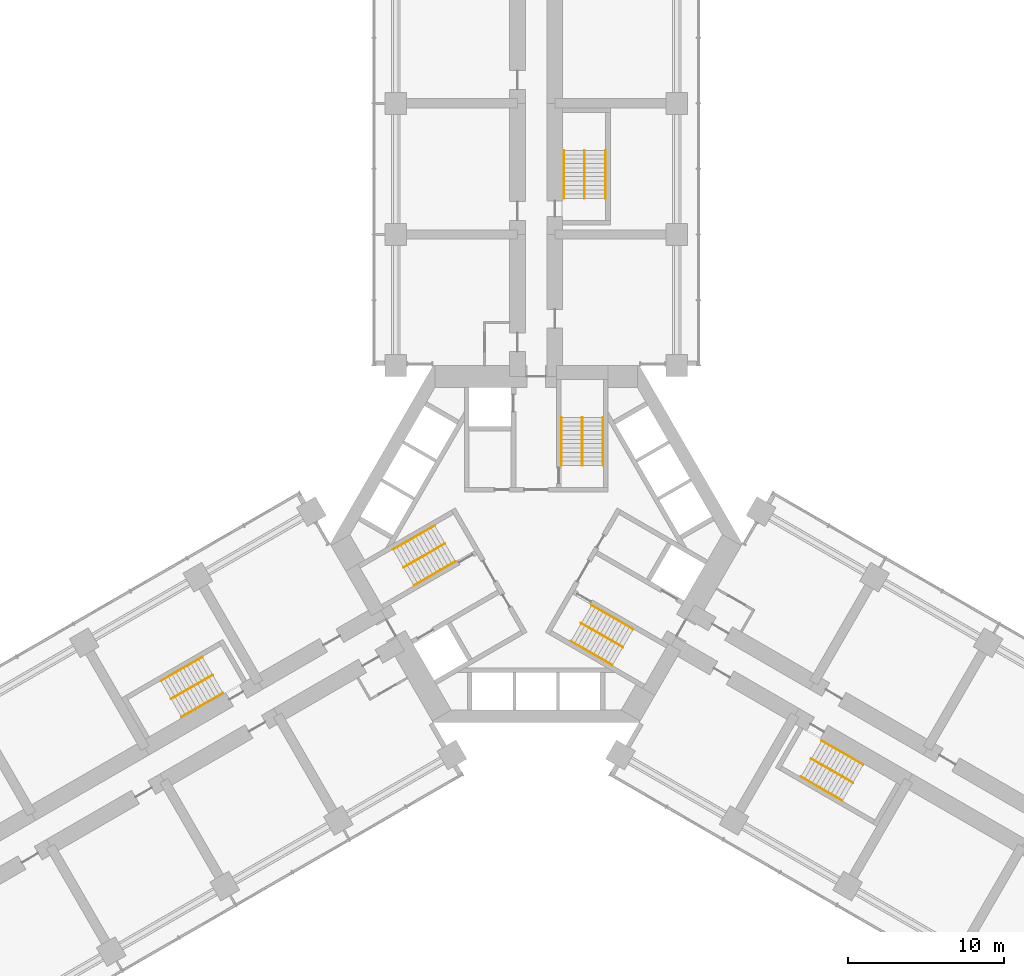
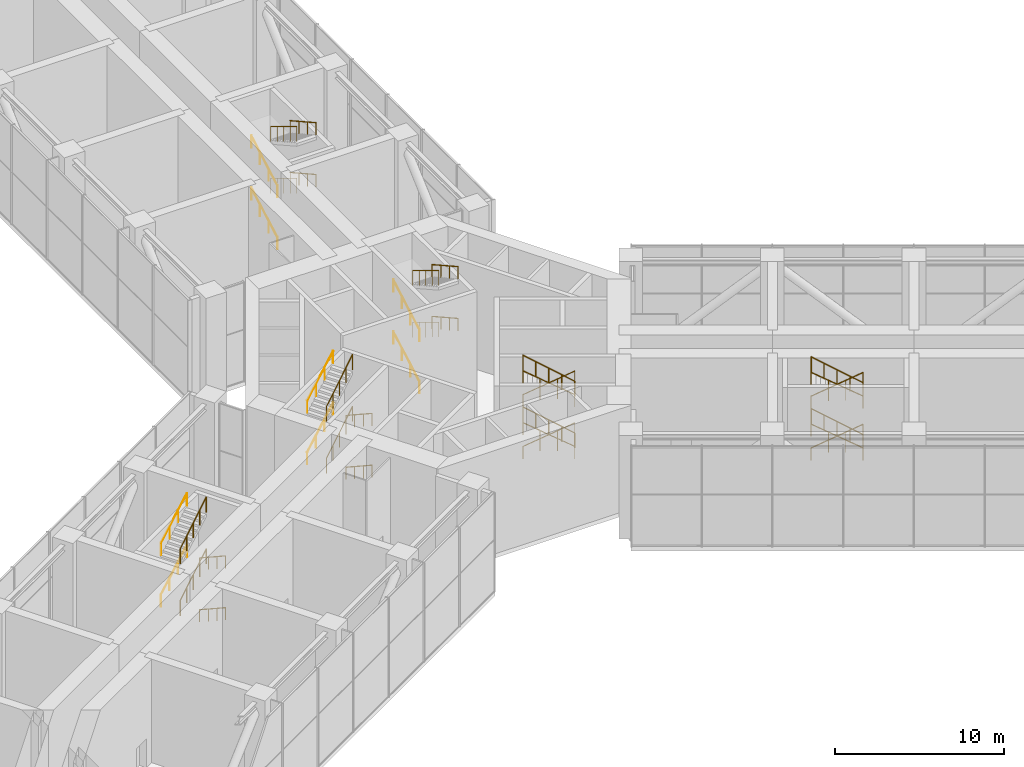
# One storey, part 19 of 19: 36 railings.
"""IFC4 building model written with IfcOpenShell, lengths in metres."""

from ifc_helpers import new_model, si_unit, direction, frame, origin, origin_2d, place, context, subcontext, project, spatial, circle, extrude, material, type_object, element, save


model = new_model("IFC4")

# Units and contexts
model_context = context("Model", 3, precision=1e-05, world=origin(), true_north=direction((0.0, 1.0)))
body_context = subcontext(model_context, "Body", "Model", "MODEL_VIEW")
ifc_project = project(units=[si_unit("LENGTHUNIT", "METRE"), si_unit("AREAUNIT", "SQUARE_METRE"), si_unit("VOLUMEUNIT", "CUBIC_METRE"), si_unit("PLANEANGLEUNIT", "RADIAN"), si_unit("MASSUNIT", "GRAM", prefix="KILO")], contexts=[model_context])

# Site, building, storey
site_placement = place(None, origin())
site = spatial("IfcSite", under=ifc_project, at=site_placement, CompositionType="ELEMENT")
building_placement = place(site_placement, origin())
building = spatial("IfcBuilding", under=site, at=building_placement, Name="Impinga Residences", CompositionType="ELEMENT")
storey_placement = place(building_placement, frame((0.0, 0.0, 93.5)))
storey = spatial("IfcBuildingStorey", under=building, at=storey_placement, Name="L23", CompositionType="ELEMENT", Elevation=93.5)

# Railings
ifc_material_1 = material(Name="Steel guard, powder coated", Category="steel")
railing_type_1 = type_object("IfcRailingType", Name="GR1 stair guard 1100", PredefinedType="GUARDRAIL", material=ifc_material_1)
for number, where, name in (
    (1, (2.949951171875, 8.110107421875, 1.875), "Stair guard GR1 ST1 L23"),
    (2, (2.949951171875, 8.110107421875, 5.625), "Stair guard GR1 ST1 L23"),
):
    element("IfcRailing", number, at=place(storey_placement, frame(where)), inside=storey, type_object=railing_type_1, Name=name, PredefinedType="GUARDRAIL", context=body_context, shape_type="SweptSolid", body=[
        extrude(circle(Radius=0.02392578125, at=origin_2d()), frame((0.0, 0.0, 1.076171875), z_axis=(0.0, -0.854177636135, 0.519981313056), x_axis=(1.0, 0.0, 0.0)), (0.0, 0.0, 1.0), 3.60595703125),
        extrude(circle(Radius=0.02099609375, at=origin_2d()), origin(), (0.0, 0.0, 1.0), 1.052001953125),
        extrude(circle(Radius=0.02099609375, at=origin_2d()), frame((0.0, -0.77001953125, 0.46875)), (0.0, 0.0, 1.0), 1.052001953125),
        extrude(circle(Radius=0.02099609375, at=origin_2d()), frame((0.0, -1.5400390625, 0.9375)), (0.0, 0.0, 1.0), 1.052001953125),
        extrude(circle(Radius=0.02099609375, at=origin_2d()), frame((0.0, -2.31005859375, 1.40625)), (0.0, 0.0, 1.0), 1.052001953125),
        extrude(circle(Radius=0.02099609375, at=origin_2d()), frame((0.0, -3.080078125, 1.875)), (0.0, 0.0, 1.0), 1.052001953125),
    ])
for number, where, name in (
    (3, (-8.49853515625, -1.500244140625, 1.875), "Stair guard GR1 ST2 L23"),
    (4, (-8.49853515625, -1.500244140625, 5.625), "Stair guard GR1 ST2 L23"),
):
    element("IfcRailing", number, at=place(storey_placement, frame(where)), inside=storey, type_object=railing_type_1, Name=name, PredefinedType="GUARDRAIL", context=body_context, shape_type="SweptSolid", body=[
        extrude(circle(Radius=0.02392578125, at=origin_2d()), frame((0.0, 0.0, 1.076171875), z_axis=(0.739746383972, 0.427084037168, 0.519975492303), x_axis=(-0.499992328818, 0.866029832698, 0.0)), (0.0, 0.0, 1.0), 3.60595703125),
        extrude(circle(Radius=0.02099609375, at=origin_2d()), origin(), (0.0, 0.0, 1.0), 1.052001953125),
        extrude(circle(Radius=0.02099609375, at=origin_2d()), frame((0.6669921875, 0.385009765625, 0.46875)), (0.0, 0.0, 1.0), 1.052001953125),
        extrude(circle(Radius=0.02099609375, at=origin_2d()), frame((1.333740234375, 0.77001953125, 0.9375)), (0.0, 0.0, 1.0), 1.052001953125),
        extrude(circle(Radius=0.02099609375, at=origin_2d()), frame((2.00048828125, 1.155029296875, 1.40625)), (0.0, 0.0, 1.0), 1.052001953125),
        extrude(circle(Radius=0.02099609375, at=origin_2d()), frame((2.66748046875, 1.5400390625, 1.875)), (0.0, 0.0, 1.0), 1.052001953125),
    ])
for number, where, name in (
    (5, (5.548583984375, -6.60986328125, 1.875), "Stair guard GR1 ST3 L23"),
    (6, (5.548583984375, -6.60986328125, 5.625), "Stair guard GR1 ST3 L23"),
):
    element("IfcRailing", number, at=place(storey_placement, frame(where)), inside=storey, type_object=railing_type_1, Name=name, PredefinedType="GUARDRAIL", context=body_context, shape_type="SweptSolid", body=[
        extrude(circle(Radius=0.02392578125, at=origin_2d()), frame((0.0, 0.0, 1.076171875), z_axis=(-0.739746383972, 0.427084037168, 0.519975492303), x_axis=(-0.499992328818, -0.866029832698, 0.0)), (0.0, 0.0, 1.0), 3.60595703125),
        extrude(circle(Radius=0.02099609375, at=origin_2d()), origin(), (0.0, 0.0, 1.0), 1.052001953125),
        extrude(circle(Radius=0.02099609375, at=origin_2d()), frame((-0.6669921875, 0.385009765625, 0.46875)), (0.0, 0.0, 1.0), 1.052001953125),
        extrude(circle(Radius=0.02099609375, at=origin_2d()), frame((-1.333740234375, 0.77001953125, 0.9375)), (0.0, 0.0, 1.0), 1.052001953125),
        extrude(circle(Radius=0.02099609375, at=origin_2d()), frame((-2.00048828125, 1.155029296875, 1.40625)), (0.0, 0.0, 1.0), 1.052001953125),
        extrude(circle(Radius=0.02099609375, at=origin_2d()), frame((-2.66748046875, 1.5400390625, 1.875)), (0.0, 0.0, 1.0), 1.052001953125),
    ])
for number, where, name in (
    (7, (3.10009765625, 25.21142578125, 1.875), "Stair guard GR1 WS1 L23"),
    (8, (3.10009765625, 25.21142578125, 5.625), "Stair guard GR1 WS1 L23"),
):
    element("IfcRailing", number, at=place(storey_placement, frame(where)), inside=storey, type_object=railing_type_1, Name=name, PredefinedType="GUARDRAIL", context=body_context, shape_type="SweptSolid", body=[
        extrude(circle(Radius=0.02392578125, at=origin_2d()), frame((0.0, 0.0, 1.076171875), z_axis=(0.0, -0.854159328187, 0.520011386482), x_axis=(1.0, 0.0, 0.0)), (0.0, 0.0, 1.0), 3.605712890625),
        extrude(circle(Radius=0.02099609375, at=origin_2d()), origin(), (0.0, 0.0, 1.0), 1.052001953125),
        extrude(circle(Radius=0.02099609375, at=origin_2d()), frame((0.0, -0.77001953125, 0.46875)), (0.0, 0.0, 1.0), 1.052001953125),
        extrude(circle(Radius=0.02099609375, at=origin_2d()), frame((0.0, -1.5400390625, 0.9375)), (0.0, 0.0, 1.0), 1.052001953125),
        extrude(circle(Radius=0.02099609375, at=origin_2d()), frame((0.0, -2.309814453125, 1.40625)), (0.0, 0.0, 1.0), 1.052001953125),
        extrude(circle(Radius=0.02099609375, at=origin_2d()), frame((0.0, -3.079833984375, 1.875)), (0.0, 0.0, 1.0), 1.052001953125),
    ])
for number, where, name in (
    (9, (-23.3837890625, -9.921142578125, 1.875), "Stair guard GR1 WS2 L23"),
    (10, (-23.3837890625, -9.921142578125, 5.625), "Stair guard GR1 WS2 L23"),
):
    element("IfcRailing", number, at=place(storey_placement, frame(where)), inside=storey, type_object=railing_type_1, Name=name, PredefinedType="GUARDRAIL", context=body_context, shape_type="SweptSolid", body=[
        extrude(circle(Radius=0.02392578125, at=origin_2d()), frame((0.0, 0.0, 1.076171875), z_axis=(0.739715726454, 0.427105428144, 0.52000153585), x_axis=(-0.500026652407, 0.866010015463, 0.0)), (0.0, 0.0, 1.0), 3.605712890625),
        extrude(circle(Radius=0.02099609375, at=origin_2d()), origin(), (0.0, 0.0, 1.0), 1.052001953125),
        extrude(circle(Radius=0.02099609375, at=origin_2d()), frame((0.666748046875, 0.385009765625, 0.46875)), (0.0, 0.0, 1.0), 1.052001953125),
        extrude(circle(Radius=0.02099609375, at=origin_2d()), frame((1.33349609375, 0.77001953125, 0.9375)), (0.0, 0.0, 1.0), 1.052001953125),
        extrude(circle(Radius=0.02099609375, at=origin_2d()), frame((2.00048828125, 1.155029296875, 1.40625)), (0.0, 0.0, 1.0), 1.052001953125),
        extrude(circle(Radius=0.02099609375, at=origin_2d()), frame((2.667236328125, 1.5400390625, 1.875)), (0.0, 0.0, 1.0), 1.052001953125),
    ])
for number, where, name in (
    (11, (20.283935546875, -15.29052734375, 1.875), "Stair guard GR1 WS3 L23"),
    (12, (20.283935546875, -15.29052734375, 5.625), "Stair guard GR1 WS3 L23"),
):
    element("IfcRailing", number, at=place(storey_placement, frame(where)), inside=storey, type_object=railing_type_1, Name=name, PredefinedType="GUARDRAIL", context=body_context, shape_type="SweptSolid", body=[
        extrude(circle(Radius=0.02392578125, at=origin_2d()), frame((0.0, 0.0, 1.076171875), z_axis=(-0.739746383972, 0.427084037168, 0.519975492303), x_axis=(-0.499992328818, -0.866029832698, 0.0)), (0.0, 0.0, 1.0), 3.60595703125),
        extrude(circle(Radius=0.02099609375, at=origin_2d()), origin(), (0.0, 0.0, 1.0), 1.052001953125),
        extrude(circle(Radius=0.02099609375, at=origin_2d()), frame((-0.6669921875, 0.385009765625, 0.46875)), (0.0, 0.0, 1.0), 1.052001953125),
        extrude(circle(Radius=0.02099609375, at=origin_2d()), frame((-1.333740234375, 0.77001953125, 0.9375)), (0.0, 0.0, 1.0), 1.052001953125),
        extrude(circle(Radius=0.02099609375, at=origin_2d()), frame((-2.00048828125, 1.155029296875, 1.40625)), (0.0, 0.0, 1.0), 1.052001953125),
        extrude(circle(Radius=0.02099609375, at=origin_2d()), frame((-2.66748046875, 1.5400390625, 1.875)), (0.0, 0.0, 1.0), 1.052001953125),
    ])
ifc_material_2 = material(Name="Steel handrail tube 42 mm, powder coated", Category="steel")
railing_type_2 = type_object("IfcRailingType", Name="HR1 stair handrail, 42 mm steel tube, 900 above the pitch line", PredefinedType="HANDRAIL", material=ifc_material_2)
railing_1_placement = place(storey_placement, frame((1.62109375, 5.030029296875, 0.15625)))
element("IfcRailing", 13, at=railing_1_placement, inside=storey, type_object=railing_type_2, Name="Stair handrail HR1 ST1 L23", PredefinedType="HANDRAIL", context=body_context, shape_type="SweptSolid", body=[
    extrude(circle(Radius=0.02099609375, at=origin_2d()), frame((0.0, 0.0, 0.87890625), z_axis=(0.0, 0.873241540666, 0.487287606713), x_axis=(-1.0, 0.0, 0.0)), (0.0, 0.0, 1.0), 3.527099609375),
    extrude(circle(Radius=0.012451171875, at=origin_2d()), origin(), (0.0, 0.0, 1.0), 0.85791015625),
    extrude(circle(Radius=0.012451171875, at=origin_2d()), frame((0.0, 1.026611328125, 0.572998046875)), (0.0, 0.0, 1.0), 0.85791015625),
    extrude(circle(Radius=0.012451171875, at=origin_2d()), frame((0.0, 2.053466796875, 1.145751953125)), (0.0, 0.0, 1.0), 0.85791015625),
    extrude(circle(Radius=0.012451171875, at=origin_2d()), frame((0.0, 3.080078125, 1.71875)), (0.0, 0.0, 1.0), 0.85791015625),
])
railing_2_placement = place(storey_placement, frame((4.279052734375, 8.110107421875, 2.03125)))
element("IfcRailing", 14, at=railing_2_placement, inside=storey, type_object=railing_type_2, Name="Stair handrail HR1 ST1 L23", PredefinedType="HANDRAIL", context=body_context, shape_type="SweptSolid", body=[
    extrude(circle(Radius=0.02099609375, at=origin_2d()), frame((0.0, 0.0, 0.87890625), z_axis=(0.0, -0.873241540666, 0.487287606713), x_axis=(1.0, 0.0, 0.0)), (0.0, 0.0, 1.0), 3.527099609375),
    extrude(circle(Radius=0.012451171875, at=origin_2d()), origin(), (0.0, 0.0, 1.0), 0.85791015625),
    extrude(circle(Radius=0.012451171875, at=origin_2d()), frame((0.0, -1.026611328125, 0.572998046875)), (0.0, 0.0, 1.0), 0.85791015625),
    extrude(circle(Radius=0.012451171875, at=origin_2d()), frame((0.0, -2.053466796875, 1.145751953125)), (0.0, 0.0, 1.0), 0.85791015625),
    extrude(circle(Radius=0.012451171875, at=origin_2d()), frame((0.0, -3.080078125, 1.71875)), (0.0, 0.0, 1.0), 0.85791015625),
])
railing_3_placement = place(storey_placement, frame((1.62109375, 5.030029296875, 3.90625)))
element("IfcRailing", 15, at=railing_3_placement, inside=storey, type_object=railing_type_2, Name="Stair handrail HR1 ST1 L23", PredefinedType="HANDRAIL", context=body_context, shape_type="SweptSolid", body=[
    extrude(circle(Radius=0.02099609375, at=origin_2d()), frame((0.0, 0.0, 0.87890625), z_axis=(0.0, 0.873241540666, 0.487287606713), x_axis=(-1.0, 0.0, 0.0)), (0.0, 0.0, 1.0), 3.527099609375),
    extrude(circle(Radius=0.012451171875, at=origin_2d()), origin(), (0.0, 0.0, 1.0), 0.85791015625),
    extrude(circle(Radius=0.012451171875, at=origin_2d()), frame((0.0, 1.026611328125, 0.572998046875)), (0.0, 0.0, 1.0), 0.85791015625),
    extrude(circle(Radius=0.012451171875, at=origin_2d()), frame((0.0, 2.053466796875, 1.145751953125)), (0.0, 0.0, 1.0), 0.85791015625),
    extrude(circle(Radius=0.012451171875, at=origin_2d()), frame((0.0, 3.080078125, 1.71875)), (0.0, 0.0, 1.0), 0.85791015625),
])
railing_4_placement = place(storey_placement, frame((4.279052734375, 8.110107421875, 5.78125)))
element("IfcRailing", 16, at=railing_4_placement, inside=storey, type_object=railing_type_2, Name="Stair handrail HR1 ST1 L23", PredefinedType="HANDRAIL", context=body_context, shape_type="SweptSolid", body=[
    extrude(circle(Radius=0.02099609375, at=origin_2d()), frame((0.0, 0.0, 0.87890625), z_axis=(0.0, -0.873241540666, 0.487287606713), x_axis=(1.0, 0.0, 0.0)), (0.0, 0.0, 1.0), 3.527099609375),
    extrude(circle(Radius=0.012451171875, at=origin_2d()), origin(), (0.0, 0.0, 1.0), 0.85791015625),
    extrude(circle(Radius=0.012451171875, at=origin_2d()), frame((0.0, -1.026611328125, 0.572998046875)), (0.0, 0.0, 1.0), 0.85791015625),
    extrude(circle(Radius=0.012451171875, at=origin_2d()), frame((0.0, -2.053466796875, 1.145751953125)), (0.0, 0.0, 1.0), 0.85791015625),
    extrude(circle(Radius=0.012451171875, at=origin_2d()), frame((0.0, -3.080078125, 1.71875)), (0.0, 0.0, 1.0), 0.85791015625),
])
railing_5_placement = place(storey_placement, frame((-5.16650390625, -1.111083984375, 0.15625)))
element("IfcRailing", 17, at=railing_5_placement, inside=storey, type_object=railing_type_2, Name="Stair handrail HR1 ST2 L23", PredefinedType="HANDRAIL", context=body_context, shape_type="SweptSolid", body=[
    extrude(circle(Radius=0.02099609375, at=origin_2d()), frame((0.0, 0.0, 0.87890625), z_axis=(-0.756255980417, -0.436615662133, 0.487281905742), x_axis=(0.499992328818, -0.866029832698, 0.0)), (0.0, 0.0, 1.0), 3.527099609375),
    extrude(circle(Radius=0.012451171875, at=origin_2d()), origin(), (0.0, 0.0, 1.0), 0.85791015625),
    extrude(circle(Radius=0.012451171875, at=origin_2d()), frame((-0.88916015625, -0.513427734375, 0.572998046875)), (0.0, 0.0, 1.0), 0.85791015625),
    extrude(circle(Radius=0.012451171875, at=origin_2d()), frame((-1.7783203125, -1.026611328125, 1.145751953125)), (0.0, 0.0, 1.0), 0.85791015625),
    extrude(circle(Radius=0.012451171875, at=origin_2d()), frame((-2.66748046875, -1.5400390625, 1.71875)), (0.0, 0.0, 1.0), 0.85791015625),
])
railing_6_placement = place(storey_placement, frame((-9.1630859375, -0.349365234375, 2.03125)))
element("IfcRailing", 18, at=railing_6_placement, inside=storey, type_object=railing_type_2, Name="Stair handrail HR1 ST2 L23", PredefinedType="HANDRAIL", context=body_context, shape_type="SweptSolid", body=[
    extrude(circle(Radius=0.02099609375, at=origin_2d()), frame((0.0, 0.0, 0.87890625), z_axis=(0.756255980417, 0.436615662133, 0.487281905742), x_axis=(-0.499992328818, 0.866029832698, 0.0)), (0.0, 0.0, 1.0), 3.527099609375),
    extrude(circle(Radius=0.012451171875, at=origin_2d()), origin(), (0.0, 0.0, 1.0), 0.85791015625),
    extrude(circle(Radius=0.012451171875, at=origin_2d()), frame((0.88916015625, 0.513427734375, 0.572998046875)), (0.0, 0.0, 1.0), 0.85791015625),
    extrude(circle(Radius=0.012451171875, at=origin_2d()), frame((1.7783203125, 1.026611328125, 1.145751953125)), (0.0, 0.0, 1.0), 0.85791015625),
    extrude(circle(Radius=0.012451171875, at=origin_2d()), frame((2.66748046875, 1.5400390625, 1.71875)), (0.0, 0.0, 1.0), 0.85791015625),
])
railing_7_placement = place(storey_placement, frame((-5.16650390625, -1.111083984375, 3.90625)))
element("IfcRailing", 19, at=railing_7_placement, inside=storey, type_object=railing_type_2, Name="Stair handrail HR1 ST2 L23", PredefinedType="HANDRAIL", context=body_context, shape_type="SweptSolid", body=[
    extrude(circle(Radius=0.02099609375, at=origin_2d()), frame((0.0, 0.0, 0.87890625), z_axis=(-0.756255980417, -0.436615662133, 0.487281905742), x_axis=(0.499992328818, -0.866029832698, 0.0)), (0.0, 0.0, 1.0), 3.527099609375),
    extrude(circle(Radius=0.012451171875, at=origin_2d()), origin(), (0.0, 0.0, 1.0), 0.85791015625),
    extrude(circle(Radius=0.012451171875, at=origin_2d()), frame((-0.88916015625, -0.513427734375, 0.572998046875)), (0.0, 0.0, 1.0), 0.85791015625),
    extrude(circle(Radius=0.012451171875, at=origin_2d()), frame((-1.7783203125, -1.026611328125, 1.145751953125)), (0.0, 0.0, 1.0), 0.85791015625),
    extrude(circle(Radius=0.012451171875, at=origin_2d()), frame((-2.66748046875, -1.5400390625, 1.71875)), (0.0, 0.0, 1.0), 0.85791015625),
])
railing_8_placement = place(storey_placement, frame((-9.1630859375, -0.349365234375, 5.78125)))
element("IfcRailing", 20, at=railing_8_placement, inside=storey, type_object=railing_type_2, Name="Stair handrail HR1 ST2 L23", PredefinedType="HANDRAIL", context=body_context, shape_type="SweptSolid", body=[
    extrude(circle(Radius=0.02099609375, at=origin_2d()), frame((0.0, 0.0, 0.87890625), z_axis=(0.756255980417, 0.436615662133, 0.487281905742), x_axis=(-0.499992328818, 0.866029832698, 0.0)), (0.0, 0.0, 1.0), 3.527099609375),
    extrude(circle(Radius=0.012451171875, at=origin_2d()), origin(), (0.0, 0.0, 1.0), 0.85791015625),
    extrude(circle(Radius=0.012451171875, at=origin_2d()), frame((0.88916015625, 0.513427734375, 0.572998046875)), (0.0, 0.0, 1.0), 0.85791015625),
    extrude(circle(Radius=0.012451171875, at=origin_2d()), frame((1.7783203125, 1.026611328125, 1.145751953125)), (0.0, 0.0, 1.0), 0.85791015625),
    extrude(circle(Radius=0.012451171875, at=origin_2d()), frame((2.66748046875, 1.5400390625, 1.71875)), (0.0, 0.0, 1.0), 0.85791015625),
])
railing_9_placement = place(storey_placement, frame((3.545654296875, -3.9189453125, 0.15625)))
element("IfcRailing", 21, at=railing_9_placement, inside=storey, type_object=railing_type_2, Name="Stair handrail HR1 ST3 L23", PredefinedType="HANDRAIL", context=body_context, shape_type="SweptSolid", body=[
    extrude(circle(Radius=0.02099609375, at=origin_2d()), frame((0.0, 0.0, 0.87890625), z_axis=(0.756249203677, -0.436582492228, 0.487322141317), x_axis=(0.499967199496, 0.866044340336, 0.0)), (0.0, 0.0, 1.0), 3.52685546875),
    extrude(circle(Radius=0.012451171875, at=origin_2d()), origin(), (0.0, 0.0, 1.0), 0.85791015625),
    extrude(circle(Radius=0.012451171875, at=origin_2d()), frame((0.88916015625, -0.51318359375, 0.572998046875)), (0.0, 0.0, 1.0), 0.85791015625),
    extrude(circle(Radius=0.012451171875, at=origin_2d()), frame((1.778076171875, -1.026611328125, 1.145751953125)), (0.0, 0.0, 1.0), 0.85791015625),
    extrude(circle(Radius=0.012451171875, at=origin_2d()), frame((2.667236328125, -1.539794921875, 1.71875)), (0.0, 0.0, 1.0), 0.85791015625),
])
railing_10_placement = place(storey_placement, frame((4.884033203125, -7.7607421875, 2.03125)))
element("IfcRailing", 22, at=railing_10_placement, inside=storey, type_object=railing_type_2, Name="Stair handrail HR1 ST3 L23", PredefinedType="HANDRAIL", context=body_context, shape_type="SweptSolid", body=[
    extrude(circle(Radius=0.02099609375, at=origin_2d()), frame((0.0, 0.0, 0.87890625), z_axis=(-0.756255980417, 0.436615662133, 0.487281905742), x_axis=(-0.499992328818, -0.866029832698, 0.0)), (0.0, 0.0, 1.0), 3.527099609375),
    extrude(circle(Radius=0.012451171875, at=origin_2d()), origin(), (0.0, 0.0, 1.0), 0.85791015625),
    extrude(circle(Radius=0.012451171875, at=origin_2d()), frame((-0.88916015625, 0.513427734375, 0.572998046875)), (0.0, 0.0, 1.0), 0.85791015625),
    extrude(circle(Radius=0.012451171875, at=origin_2d()), frame((-1.7783203125, 1.026611328125, 1.145751953125)), (0.0, 0.0, 1.0), 0.85791015625),
    extrude(circle(Radius=0.012451171875, at=origin_2d()), frame((-2.66748046875, 1.5400390625, 1.71875)), (0.0, 0.0, 1.0), 0.85791015625),
])
railing_11_placement = place(storey_placement, frame((3.545654296875, -3.9189453125, 3.90625)))
element("IfcRailing", 23, at=railing_11_placement, inside=storey, type_object=railing_type_2, Name="Stair handrail HR1 ST3 L23", PredefinedType="HANDRAIL", context=body_context, shape_type="SweptSolid", body=[
    extrude(circle(Radius=0.02099609375, at=origin_2d()), frame((0.0, 0.0, 0.87890625), z_axis=(0.756249203677, -0.436582492228, 0.487322141317), x_axis=(0.499967199496, 0.866044340336, 0.0)), (0.0, 0.0, 1.0), 3.52685546875),
    extrude(circle(Radius=0.012451171875, at=origin_2d()), origin(), (0.0, 0.0, 1.0), 0.85791015625),
    extrude(circle(Radius=0.012451171875, at=origin_2d()), frame((0.88916015625, -0.51318359375, 0.572998046875)), (0.0, 0.0, 1.0), 0.85791015625),
    extrude(circle(Radius=0.012451171875, at=origin_2d()), frame((1.778076171875, -1.026611328125, 1.145751953125)), (0.0, 0.0, 1.0), 0.85791015625),
    extrude(circle(Radius=0.012451171875, at=origin_2d()), frame((2.667236328125, -1.539794921875, 1.71875)), (0.0, 0.0, 1.0), 0.85791015625),
])
railing_12_placement = place(storey_placement, frame((4.884033203125, -7.7607421875, 5.78125)))
element("IfcRailing", 24, at=railing_12_placement, inside=storey, type_object=railing_type_2, Name="Stair handrail HR1 ST3 L23", PredefinedType="HANDRAIL", context=body_context, shape_type="SweptSolid", body=[
    extrude(circle(Radius=0.02099609375, at=origin_2d()), frame((0.0, 0.0, 0.87890625), z_axis=(-0.756255980417, 0.436615662133, 0.487281905742), x_axis=(-0.499992328818, -0.866029832698, 0.0)), (0.0, 0.0, 1.0), 3.527099609375),
    extrude(circle(Radius=0.012451171875, at=origin_2d()), origin(), (0.0, 0.0, 1.0), 0.85791015625),
    extrude(circle(Radius=0.012451171875, at=origin_2d()), frame((-0.88916015625, 0.513427734375, 0.572998046875)), (0.0, 0.0, 1.0), 0.85791015625),
    extrude(circle(Radius=0.012451171875, at=origin_2d()), frame((-1.7783203125, 1.026611328125, 1.145751953125)), (0.0, 0.0, 1.0), 0.85791015625),
    extrude(circle(Radius=0.012451171875, at=origin_2d()), frame((-2.66748046875, 1.5400390625, 1.71875)), (0.0, 0.0, 1.0), 0.85791015625),
])
railing_13_placement = place(storey_placement, frame((1.77099609375, 22.131591796875, 0.15625)))
element("IfcRailing", 25, at=railing_13_placement, inside=storey, type_object=railing_type_2, Name="Stair handrail HR1 WS1 L23", PredefinedType="HANDRAIL", context=body_context, shape_type="SweptSolid", body=[
    extrude(circle(Radius=0.02099609375, at=origin_2d()), frame((0.0, 0.0, 0.87890625), z_axis=(0.0, 0.873225103656, 0.487317061414), x_axis=(-1.0, 0.0, 0.0)), (0.0, 0.0, 1.0), 3.52685546875),
    extrude(circle(Radius=0.012451171875, at=origin_2d()), origin(), (0.0, 0.0, 1.0), 0.85791015625),
    extrude(circle(Radius=0.012451171875, at=origin_2d()), frame((0.0, 1.026611328125, 0.572998046875)), (0.0, 0.0, 1.0), 0.85791015625),
    extrude(circle(Radius=0.012451171875, at=origin_2d()), frame((0.0, 2.05322265625, 1.145751953125)), (0.0, 0.0, 1.0), 0.85791015625),
    extrude(circle(Radius=0.012451171875, at=origin_2d()), frame((0.0, 3.079833984375, 1.71875)), (0.0, 0.0, 1.0), 0.85791015625),
])
railing_14_placement = place(storey_placement, frame((4.428955078125, 25.21142578125, 2.03125)))
element("IfcRailing", 26, at=railing_14_placement, inside=storey, type_object=railing_type_2, Name="Stair handrail HR1 WS1 L23", PredefinedType="HANDRAIL", context=body_context, shape_type="SweptSolid", body=[
    extrude(circle(Radius=0.02099609375, at=origin_2d()), frame((0.0, 0.0, 0.87890625), z_axis=(0.0, -0.873225103656, 0.487317061414), x_axis=(1.0, 0.0, 0.0)), (0.0, 0.0, 1.0), 3.52685546875),
    extrude(circle(Radius=0.012451171875, at=origin_2d()), origin(), (0.0, 0.0, 1.0), 0.85791015625),
    extrude(circle(Radius=0.012451171875, at=origin_2d()), frame((0.0, -1.026611328125, 0.572998046875)), (0.0, 0.0, 1.0), 0.85791015625),
    extrude(circle(Radius=0.012451171875, at=origin_2d()), frame((0.0, -2.05322265625, 1.145751953125)), (0.0, 0.0, 1.0), 0.85791015625),
    extrude(circle(Radius=0.012451171875, at=origin_2d()), frame((0.0, -3.079833984375, 1.71875)), (0.0, 0.0, 1.0), 0.85791015625),
])
railing_15_placement = place(storey_placement, frame((1.77099609375, 22.131591796875, 3.90625)))
element("IfcRailing", 27, at=railing_15_placement, inside=storey, type_object=railing_type_2, Name="Stair handrail HR1 WS1 L23", PredefinedType="HANDRAIL", context=body_context, shape_type="SweptSolid", body=[
    extrude(circle(Radius=0.02099609375, at=origin_2d()), frame((0.0, 0.0, 0.87890625), z_axis=(0.0, 0.873225103656, 0.487317061414), x_axis=(-1.0, 0.0, 0.0)), (0.0, 0.0, 1.0), 3.52685546875),
    extrude(circle(Radius=0.012451171875, at=origin_2d()), origin(), (0.0, 0.0, 1.0), 0.85791015625),
    extrude(circle(Radius=0.012451171875, at=origin_2d()), frame((0.0, 1.026611328125, 0.572998046875)), (0.0, 0.0, 1.0), 0.85791015625),
    extrude(circle(Radius=0.012451171875, at=origin_2d()), frame((0.0, 2.05322265625, 1.145751953125)), (0.0, 0.0, 1.0), 0.85791015625),
    extrude(circle(Radius=0.012451171875, at=origin_2d()), frame((0.0, 3.079833984375, 1.71875)), (0.0, 0.0, 1.0), 0.85791015625),
])
railing_16_placement = place(storey_placement, frame((4.428955078125, 25.21142578125, 5.78125)))
element("IfcRailing", 28, at=railing_16_placement, inside=storey, type_object=railing_type_2, Name="Stair handrail HR1 WS1 L23", PredefinedType="HANDRAIL", context=body_context, shape_type="SweptSolid", body=[
    extrude(circle(Radius=0.02099609375, at=origin_2d()), frame((0.0, 0.0, 0.87890625), z_axis=(0.0, -0.873225103656, 0.487317061414), x_axis=(1.0, 0.0, 0.0)), (0.0, 0.0, 1.0), 3.52685546875),
    extrude(circle(Radius=0.012451171875, at=origin_2d()), origin(), (0.0, 0.0, 1.0), 0.85791015625),
    extrude(circle(Radius=0.012451171875, at=origin_2d()), frame((0.0, -1.026611328125, 0.572998046875)), (0.0, 0.0, 1.0), 0.85791015625),
    extrude(circle(Radius=0.012451171875, at=origin_2d()), frame((0.0, -2.05322265625, 1.145751953125)), (0.0, 0.0, 1.0), 0.85791015625),
    extrude(circle(Radius=0.012451171875, at=origin_2d()), frame((0.0, -3.079833984375, 1.71875)), (0.0, 0.0, 1.0), 0.85791015625),
])
railing_17_placement = place(storey_placement, frame((-20.052001953125, -9.531982421875, 0.15625)))
element("IfcRailing", 29, at=railing_17_placement, inside=storey, type_object=railing_type_2, Name="Stair handrail HR1 WS2 L23", PredefinedType="HANDRAIL", context=body_context, shape_type="SweptSolid", body=[
    extrude(circle(Radius=0.02099609375, at=origin_2d()), frame((0.0, 0.0, 0.87890625), z_axis=(-0.756226348243, -0.436638517594, 0.487307413422), x_axis=(0.500026652407, -0.866010015463, 0.0)), (0.0, 0.0, 1.0), 3.527099609375),
    extrude(circle(Radius=0.012451171875, at=origin_2d()), origin(), (0.0, 0.0, 1.0), 0.85791015625),
    extrude(circle(Radius=0.012451171875, at=origin_2d()), frame((-0.88916015625, -0.513427734375, 0.572998046875)), (0.0, 0.0, 1.0), 0.85791015625),
    extrude(circle(Radius=0.012451171875, at=origin_2d()), frame((-1.778076171875, -1.026611328125, 1.145751953125)), (0.0, 0.0, 1.0), 0.85791015625),
    extrude(circle(Radius=0.012451171875, at=origin_2d()), frame((-2.667236328125, -1.5400390625, 1.71875)), (0.0, 0.0, 1.0), 0.85791015625),
])
railing_18_placement = place(storey_placement, frame((-24.04833984375, -8.77001953125, 2.03125)))
element("IfcRailing", 30, at=railing_18_placement, inside=storey, type_object=railing_type_2, Name="Stair handrail HR1 WS2 L23", PredefinedType="HANDRAIL", context=body_context, shape_type="SweptSolid", body=[
    extrude(circle(Radius=0.02099609375, at=origin_2d()), frame((0.0, 0.0, 0.87890625), z_axis=(0.756278834354, 0.436559638319, 0.487296631324), x_axis=(-0.499932877268, 0.866064153644, 0.0)), (0.0, 0.0, 1.0), 3.527099609375),
    extrude(circle(Radius=0.012451171875, at=origin_2d()), origin(), (0.0, 0.0, 1.0), 0.85791015625),
    extrude(circle(Radius=0.012451171875, at=origin_2d()), frame((0.88916015625, 0.51318359375, 0.572998046875)), (0.0, 0.0, 1.0), 0.85791015625),
    extrude(circle(Radius=0.012451171875, at=origin_2d()), frame((1.7783203125, 1.026611328125, 1.145751953125)), (0.0, 0.0, 1.0), 0.85791015625),
    extrude(circle(Radius=0.012451171875, at=origin_2d()), frame((2.66748046875, 1.539794921875, 1.71875)), (0.0, 0.0, 1.0), 0.85791015625),
])
railing_19_placement = place(storey_placement, frame((-20.052001953125, -9.531982421875, 3.90625)))
element("IfcRailing", 31, at=railing_19_placement, inside=storey, type_object=railing_type_2, Name="Stair handrail HR1 WS2 L23", PredefinedType="HANDRAIL", context=body_context, shape_type="SweptSolid", body=[
    extrude(circle(Radius=0.02099609375, at=origin_2d()), frame((0.0, 0.0, 0.87890625), z_axis=(-0.756226348243, -0.436638517594, 0.487307413422), x_axis=(0.500026652407, -0.866010015463, 0.0)), (0.0, 0.0, 1.0), 3.527099609375),
    extrude(circle(Radius=0.012451171875, at=origin_2d()), origin(), (0.0, 0.0, 1.0), 0.85791015625),
    extrude(circle(Radius=0.012451171875, at=origin_2d()), frame((-0.88916015625, -0.513427734375, 0.572998046875)), (0.0, 0.0, 1.0), 0.85791015625),
    extrude(circle(Radius=0.012451171875, at=origin_2d()), frame((-1.778076171875, -1.026611328125, 1.145751953125)), (0.0, 0.0, 1.0), 0.85791015625),
    extrude(circle(Radius=0.012451171875, at=origin_2d()), frame((-2.667236328125, -1.5400390625, 1.71875)), (0.0, 0.0, 1.0), 0.85791015625),
])
railing_20_placement = place(storey_placement, frame((-24.04833984375, -8.77001953125, 5.78125)))
element("IfcRailing", 32, at=railing_20_placement, inside=storey, type_object=railing_type_2, Name="Stair handrail HR1 WS2 L23", PredefinedType="HANDRAIL", context=body_context, shape_type="SweptSolid", body=[
    extrude(circle(Radius=0.02099609375, at=origin_2d()), frame((0.0, 0.0, 0.87890625), z_axis=(0.756278834354, 0.436559638319, 0.487296631324), x_axis=(-0.499932877268, 0.866064153644, 0.0)), (0.0, 0.0, 1.0), 3.527099609375),
    extrude(circle(Radius=0.012451171875, at=origin_2d()), origin(), (0.0, 0.0, 1.0), 0.85791015625),
    extrude(circle(Radius=0.012451171875, at=origin_2d()), frame((0.88916015625, 0.51318359375, 0.572998046875)), (0.0, 0.0, 1.0), 0.85791015625),
    extrude(circle(Radius=0.012451171875, at=origin_2d()), frame((1.7783203125, 1.026611328125, 1.145751953125)), (0.0, 0.0, 1.0), 0.85791015625),
    extrude(circle(Radius=0.012451171875, at=origin_2d()), frame((2.66748046875, 1.539794921875, 1.71875)), (0.0, 0.0, 1.0), 0.85791015625),
])
railing_21_placement = place(storey_placement, frame((18.281005859375, -12.599609375, 0.15625)))
element("IfcRailing", 33, at=railing_21_placement, inside=storey, type_object=railing_type_2, Name="Stair handrail HR1 WS3 L23", PredefinedType="HANDRAIL", context=body_context, shape_type="SweptSolid", body=[
    extrude(circle(Radius=0.02099609375, at=origin_2d()), frame((0.0, 0.0, 0.87890625), z_axis=(0.756249203677, -0.436582492228, 0.487322141317), x_axis=(0.499967199496, 0.866044340336, 0.0)), (0.0, 0.0, 1.0), 3.52685546875),
    extrude(circle(Radius=0.012451171875, at=origin_2d()), origin(), (0.0, 0.0, 1.0), 0.85791015625),
    extrude(circle(Radius=0.012451171875, at=origin_2d()), frame((0.88916015625, -0.51318359375, 0.572998046875)), (0.0, 0.0, 1.0), 0.85791015625),
    extrude(circle(Radius=0.012451171875, at=origin_2d()), frame((1.778076171875, -1.026611328125, 1.145751953125)), (0.0, 0.0, 1.0), 0.85791015625),
    extrude(circle(Radius=0.012451171875, at=origin_2d()), frame((2.667236328125, -1.539794921875, 1.71875)), (0.0, 0.0, 1.0), 0.85791015625),
])
railing_22_placement = place(storey_placement, frame((19.619384765625, -16.44140625, 2.03125)))
element("IfcRailing", 34, at=railing_22_placement, inside=storey, type_object=railing_type_2, Name="Stair handrail HR1 WS3 L23", PredefinedType="HANDRAIL", context=body_context, shape_type="SweptSolid", body=[
    extrude(circle(Radius=0.02099609375, at=origin_2d()), frame((0.0, 0.0, 0.87890625), z_axis=(-0.756255980417, 0.436615662133, 0.487281905742), x_axis=(-0.499992328818, -0.866029832698, 0.0)), (0.0, 0.0, 1.0), 3.527099609375),
    extrude(circle(Radius=0.012451171875, at=origin_2d()), origin(), (0.0, 0.0, 1.0), 0.85791015625),
    extrude(circle(Radius=0.012451171875, at=origin_2d()), frame((-0.88916015625, 0.513427734375, 0.572998046875)), (0.0, 0.0, 1.0), 0.85791015625),
    extrude(circle(Radius=0.012451171875, at=origin_2d()), frame((-1.7783203125, 1.026611328125, 1.145751953125)), (0.0, 0.0, 1.0), 0.85791015625),
    extrude(circle(Radius=0.012451171875, at=origin_2d()), frame((-2.66748046875, 1.5400390625, 1.71875)), (0.0, 0.0, 1.0), 0.85791015625),
])
railing_23_placement = place(storey_placement, frame((18.281005859375, -12.599609375, 3.90625)))
element("IfcRailing", 35, at=railing_23_placement, inside=storey, type_object=railing_type_2, Name="Stair handrail HR1 WS3 L23", PredefinedType="HANDRAIL", context=body_context, shape_type="SweptSolid", body=[
    extrude(circle(Radius=0.02099609375, at=origin_2d()), frame((0.0, 0.0, 0.87890625), z_axis=(0.756249203677, -0.436582492228, 0.487322141317), x_axis=(0.499967199496, 0.866044340336, 0.0)), (0.0, 0.0, 1.0), 3.52685546875),
    extrude(circle(Radius=0.012451171875, at=origin_2d()), origin(), (0.0, 0.0, 1.0), 0.85791015625),
    extrude(circle(Radius=0.012451171875, at=origin_2d()), frame((0.88916015625, -0.51318359375, 0.572998046875)), (0.0, 0.0, 1.0), 0.85791015625),
    extrude(circle(Radius=0.012451171875, at=origin_2d()), frame((1.778076171875, -1.026611328125, 1.145751953125)), (0.0, 0.0, 1.0), 0.85791015625),
    extrude(circle(Radius=0.012451171875, at=origin_2d()), frame((2.667236328125, -1.539794921875, 1.71875)), (0.0, 0.0, 1.0), 0.85791015625),
])
railing_24_placement = place(storey_placement, frame((19.619384765625, -16.44140625, 5.78125)))
element("IfcRailing", 36, at=railing_24_placement, inside=storey, type_object=railing_type_2, Name="Stair handrail HR1 WS3 L23", PredefinedType="HANDRAIL", context=body_context, shape_type="SweptSolid", body=[
    extrude(circle(Radius=0.02099609375, at=origin_2d()), frame((0.0, 0.0, 0.87890625), z_axis=(-0.756255980417, 0.436615662133, 0.487281905742), x_axis=(-0.499992328818, -0.866029832698, 0.0)), (0.0, 0.0, 1.0), 3.527099609375),
    extrude(circle(Radius=0.012451171875, at=origin_2d()), origin(), (0.0, 0.0, 1.0), 0.85791015625),
    extrude(circle(Radius=0.012451171875, at=origin_2d()), frame((-0.88916015625, 0.513427734375, 0.572998046875)), (0.0, 0.0, 1.0), 0.85791015625),
    extrude(circle(Radius=0.012451171875, at=origin_2d()), frame((-1.7783203125, 1.026611328125, 1.145751953125)), (0.0, 0.0, 1.0), 0.85791015625),
    extrude(circle(Radius=0.012451171875, at=origin_2d()), frame((-2.66748046875, 1.5400390625, 1.71875)), (0.0, 0.0, 1.0), 0.85791015625),
])

save(model, "model.ifc")
